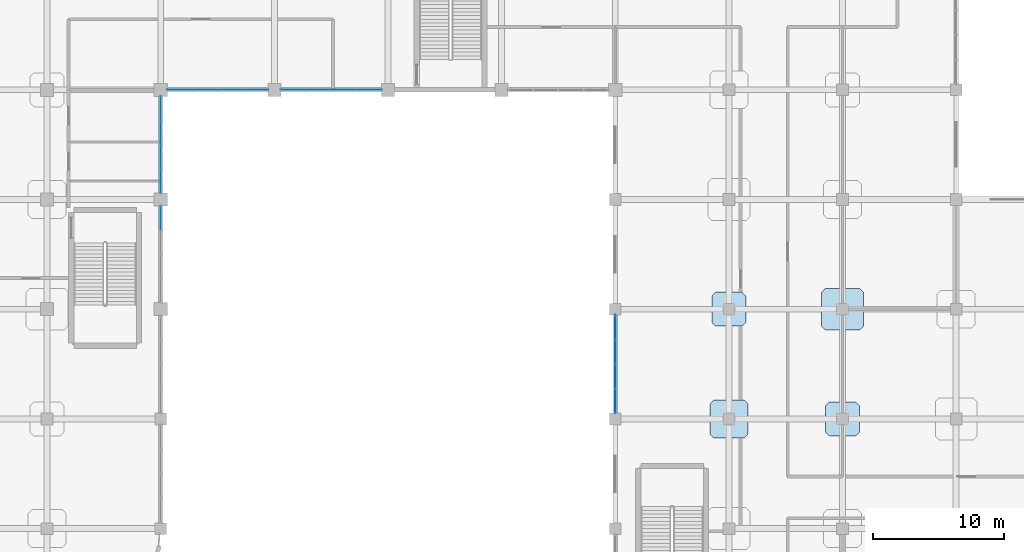
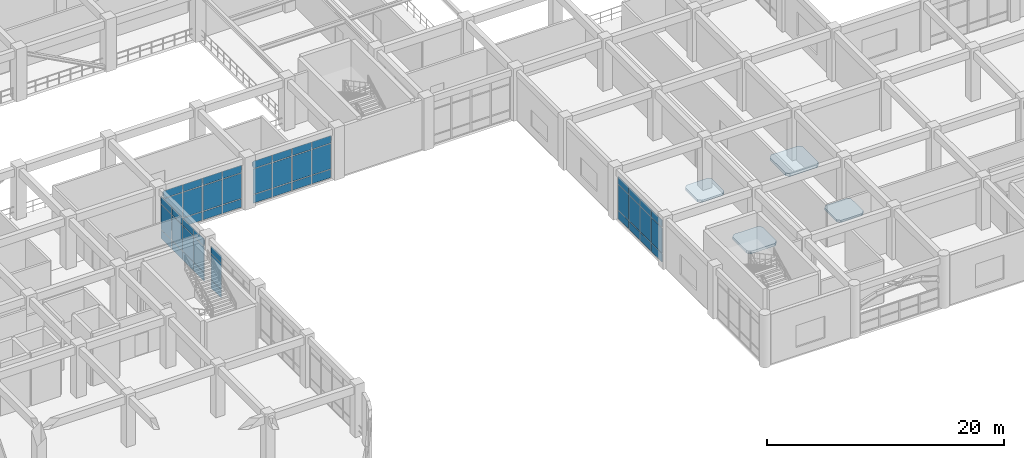
# One storey, part 83 of 114: 55 plates, 4 slabs, 5 elements without a shape of their own.
"""IFC4 building model written with IfcOpenShell, lengths in metres."""

import ifcopenshell
import ifcopenshell.guid

model = None  # the IFC model being written
_history = None  # IfcOwnerHistory: only IFC2X3 demands one
_inside = {}  # id of a spatial element -> (the spatial element, [elements in it])
_under = {}  # id of a project, library or spatial element -> (it, [spatial elements below it])
_declared = {}  # id of a project -> (the project, [libraries it declares])
_typed = {}  # id of a type object -> (the type object, [elements of that type])
_made_of = {}  # id of a material, layer set ... -> (it, [elements and type objects made of it])


def new_model(schema):
    """Start an empty IFC model of exactly this schema.

    Asked for "IFC4X3", IfcOpenShell would pick the latest addendum, in which some entities
    have other attributes; the version numbers below select the first issue.
    IFC2X3 requires an IfcOwnerHistory on every rooted entity: one is made here for all.
    """
    global model, _history
    if schema == "IFC4X3":
        model = ifcopenshell.file(schema_version=(4, 3, 0, 0))
    else:
        model = ifcopenshell.file(schema=schema)
    _inside.clear()
    _under.clear()
    _declared.clear()
    _typed.clear()
    _made_of.clear()
    _history = None
    if model.schema == "IFC2X3":
        org = make("IfcOrganization", Name="unknown")
        user = make(
            "IfcPersonAndOrganization",
            ThePerson=make("IfcPerson", FamilyName="unknown"),
            TheOrganization=org,
        )
        app = make(
            "IfcApplication",
            ApplicationDeveloper=org,
            Version="unknown",
            ApplicationFullName="unknown",
            ApplicationIdentifier="unknown",
        )
        _history = make(
            "IfcOwnerHistory",
            OwningUser=user,
            OwningApplication=app,
            ChangeAction="ADDED",
            CreationDate=0,
        )
    return model


def make(cls, **values):
    """One entity of the class cls with the attributes given. An attribute that is None is left unset."""
    return model.create_entity(
        cls, **{name: value for name, value in values.items() if value is not None}
    )


def rooted(cls, **values):
    """An entity with a GlobalId (a new one), such as an element, a storey or a relation."""
    return make(cls, GlobalId=ifcopenshell.guid.new(), OwnerHistory=_history, **values)


def si_unit(unit_type, name, prefix=None):
    """IfcSIUnit, for example si_unit("LENGTHUNIT", "METRE", prefix="MILLI")."""
    return make("IfcSIUnit", UnitType=unit_type, Prefix=prefix, Name=name)


def derived_unit(unit_type, elements):
    """IfcDerivedUnit: a product of units, each with its exponent."""
    return make(
        "IfcDerivedUnit",
        Elements=[
            make("IfcDerivedUnitElement", Unit=unit, Exponent=power)
            for unit, power in elements
        ],
        UnitType=unit_type,
    )


def assignment(units):
    """IfcUnitAssignment: the units of a project."""
    return None if units is None else make("IfcUnitAssignment", Units=units)


def point(xyz):
    """IfcCartesianPoint."""
    return None if xyz is None else make("IfcCartesianPoint", Coordinates=xyz)


def direction(xyz):
    """IfcDirection."""
    return None if xyz is None else make("IfcDirection", DirectionRatios=xyz)


def frame(location, z_axis=None, x_axis=None):
    """IfcAxis2Placement3D, a coordinate frame: its origin and axes. An axis left out is left unset."""
    return make(
        "IfcAxis2Placement3D",
        Location=point(location),
        Axis=direction(z_axis),
        RefDirection=direction(x_axis),
    )


def frame_2d(location, x_axis=None):
    """IfcAxis2Placement2D, a coordinate frame in the plane: its origin and x axis."""
    return make(
        "IfcAxis2Placement2D", Location=point(location), RefDirection=direction(x_axis)
    )


def origin():
    """The frame at (0, 0, 0) with its axes left unset."""
    return frame((0.0, 0.0, 0.0))


def origin_2d():
    """The frame at (0, 0) in the plane with its x axis left unset."""
    return frame_2d((0.0, 0.0))


def place(relative_to, where):
    """IfcLocalPlacement: puts the frame where relative to a parent placement (None: the world)."""
    return make(
        "IfcLocalPlacement", PlacementRelTo=relative_to, RelativePlacement=where
    )


def context(
    kind, dimensions, precision=None, world=None, true_north=None, identifier=None
):
    """IfcGeometricRepresentationContext, for example the 3D "Model" context."""
    return make(
        "IfcGeometricRepresentationContext",
        ContextIdentifier=identifier,
        ContextType=kind,
        CoordinateSpaceDimension=dimensions,
        Precision=precision,
        WorldCoordinateSystem=world,
        TrueNorth=true_north,
    )


def subcontext(parent, identifier, kind, view, scale=None):
    """IfcGeometricRepresentationSubContext, for example "Body" below "Model"."""
    return make(
        "IfcGeometricRepresentationSubContext",
        ContextIdentifier=identifier,
        ContextType=kind,
        ParentContext=parent,
        TargetScale=scale,
        TargetView=view,
    )


def project(units=None, contexts=None):
    """IfcProject with its units and contexts."""
    return rooted(
        "IfcProject",
        Name="project",
        RepresentationContexts=contexts,
        UnitsInContext=assignment(units),
    )


def spatial(cls, under=None, at=None, **own):
    """A site, building, storey or space (cls), placed at a placement, below another one or the project."""
    s = rooted(cls, ObjectPlacement=at, **own)
    if under is not None:
        _under.setdefault(under.id(), (under, []))[1].append(s)
    return s


def polyline(points):
    """IfcPolyline through the points."""
    return make("IfcPolyline", Points=[point(p) for p in points])


def profile(cls, at=None, kind="AREA", **sizes):
    """A parametric profile (cls). Its sizes go by their IFC names, for example OverallWidth=200.0."""
    return make(cls, ProfileType=kind, Position=at, **sizes)


def rectangle(**sizes):
    """IfcRectangleProfileDef."""
    return profile("IfcRectangleProfileDef", **sizes)


def outline(outer, holes=None, kind="AREA"):
    """IfcArbitraryClosedProfileDef: a profile drawn as a closed curve; with holes, ...WithVoids."""
    if holes is None:
        return make("IfcArbitraryClosedProfileDef", ProfileType=kind, OuterCurve=outer)
    return make(
        "IfcArbitraryProfileDefWithVoids",
        ProfileType=kind,
        OuterCurve=outer,
        InnerCurves=holes,
    )


def extrude(swept, where, along, depth):
    """IfcExtrudedAreaSolid: the profile swept, set in the frame where, extruded along a direction by depth."""
    return make(
        "IfcExtrudedAreaSolid",
        SweptArea=swept,
        Position=where,
        ExtrudedDirection=direction(along),
        Depth=depth,
    )


def shape(context_of_items, identifier, shape_type, items):
    """IfcShapeRepresentation: the items that make up one representation, for example the "Body"."""
    return make(
        "IfcShapeRepresentation",
        ContextOfItems=context_of_items,
        RepresentationIdentifier=identifier,
        RepresentationType=shape_type,
        Items=items,
    )


def material(Name=None, Category=None):
    """IfcMaterial."""
    return make("IfcMaterial", Name=Name, Category=Category)


def layer(
    of_material, thickness, ventilated=None, Name=None, Category=None, Priority=None
):
    """IfcMaterialLayer: one layer of a wall or slab, of a material (None: an air gap)."""
    return make(
        "IfcMaterialLayer",
        Material=of_material,
        LayerThickness=thickness,
        IsVentilated=ventilated,
        Name=Name,
        Category=Category,
        Priority=Priority,
    )


def layer_set(layers, Name=None):
    """IfcMaterialLayerSet."""
    return make("IfcMaterialLayerSet", MaterialLayers=layers, LayerSetName=Name)


def made_of(thing, what):
    """Note that an element or type object is made of a material, layer set ...; save() writes the relation."""
    if what is not None:
        _made_of.setdefault(what.id(), (what, []))[1].append(thing)
    return thing


def type_object(cls, material=None, **own):
    """A type object (cls), such as IfcWallType, which elements share."""
    return made_of(rooted(cls, **own), material)


def element(
    cls,
    number,
    at=None,
    inside=None,
    cuts=None,
    type_object=None,
    material=None,
    context=None,
    identifier="Body",
    shape_type=None,
    held_by="IfcProductDefinitionShape",
    body=None,
    shapes=None,
    **own,
):
    """One element of the class cls, such as IfcWall. Its Tag is "e" and its number.

    at: its placement. inside: the storey or other place that contains it. cuts: it is an
    opening in that element (IfcRelVoidsElement). A single representation is given by context,
    identifier, shape_type and body (its items); several are given by shapes. held_by: the class
    of the entity that holds the representations. save() writes the other relations.
    """
    e = rooted(cls, Tag="e%d" % number, ObjectPlacement=at, **own)
    if body is not None:
        shapes = [shape(context, identifier, shape_type, body)]
    if shapes is not None:
        e.Representation = make(held_by, Representations=shapes)
    if inside is not None:
        _inside.setdefault(inside.id(), (inside, []))[1].append(e)
    if cuts is not None:
        rooted(
            "IfcRelVoidsElement", RelatingBuildingElement=cuts, RelatedOpeningElement=e
        )
    if type_object is not None:
        _typed.setdefault(type_object.id(), (type_object, []))[1].append(e)
    return made_of(e, material)


def aggregate(whole, parts):
    """IfcRelAggregates: a whole, such as a stair, and the parts it consists of."""
    return rooted("IfcRelAggregates", RelatingObject=whole, RelatedObjects=parts)


def save(model, path):
    """Write the relations noted so far, then the file.

    IfcRelAggregates (storeys below a building ...), IfcRelContainedInSpatialStructure (elements
    in a storey), IfcRelDefinesByType, IfcRelAssociatesMaterial and IfcRelDeclares: one each for
    every whole, place, type object, material and project.
    """
    for whole, parts in _under.values():
        aggregate(whole, parts)
    for where, things in _inside.values():
        rooted(
            "IfcRelContainedInSpatialStructure",
            RelatedElements=things,
            RelatingStructure=where,
        )
    for kind, things in _typed.values():
        rooted("IfcRelDefinesByType", RelatedObjects=things, RelatingType=kind)
    for what, things in _made_of.values():
        rooted("IfcRelAssociatesMaterial", RelatedObjects=things, RelatingMaterial=what)
    for by, libraries in _declared.values():
        rooted("IfcRelDeclares", RelatingContext=by, RelatedDefinitions=libraries)
    model.write(path)


model = new_model("IFC4")

# Units and contexts
model_context = context("Model", 3, precision=1e-05, world=origin(), true_north=direction((0.0, 1.0)))
body_context = subcontext(model_context, "Body", "Model", "MODEL_VIEW")
ifc_project = project(units=[si_unit("LENGTHUNIT", "METRE"), si_unit("AREAUNIT", "SQUARE_METRE"), si_unit("VOLUMEUNIT", "CUBIC_METRE"), si_unit("PLANEANGLEUNIT", "RADIAN"), si_unit("MASSUNIT", "GRAM", prefix="KILO"), derived_unit("THERMALTRANSMITTANCEUNIT", [(si_unit("MASSUNIT", "GRAM", prefix="KILO"), 1), (si_unit("TIMEUNIT", "SECOND"), -3), (si_unit("THERMODYNAMICTEMPERATUREUNIT", "KELVIN"), -1)])], contexts=[model_context])

# Site, building, storey
site_placement = place(None, origin())
site = spatial("IfcSite", under=ifc_project, at=site_placement, CompositionType="ELEMENT")
building_placement = place(site_placement, origin())
building = spatial("IfcBuilding", under=site, at=building_placement, Name="Qinzheling Arcade Emporium", CompositionType="ELEMENT")
storey_placement = place(building_placement, frame((0.0, 0.0, 6.0)))
storey = spatial("IfcBuildingStorey", under=building, at=storey_placement, Name="L02", CompositionType="ELEMENT", Elevation=6.0)

# Slabs
ifc_material_1 = material(Name="Concrete C40", Category="concrete")
ifc_layer_1 = layer(ifc_material_1, 0.235107421875, Name="Concrete C40", Category="concrete")
ifc_layer_set_1 = layer_set([ifc_layer_1], Name="Concrete C40")
slab_type_1 = type_object("IfcSlabType", Name="Column Head Drop Panel 2600x2600x235 C40", PredefinedType="USERDEFINED", material=ifc_layer_set_1)
slab_1_placement = place(storey_placement, frame((0.0, 0.0, -0.514892578125)))
element("IfcSlab", 1, at=slab_1_placement, inside=storey, type_object=slab_type_1, Name="Column Drop Panel DP-L02-14-D", ObjectType="DROP_PANEL", PredefinedType="USERDEFINED", context=body_context, shape_type="SweptSolid", body=[
    extrude(outline(polyline([(112.080078125, 23.89990234375), (114.1201171875, 23.89990234375), (114.39990234375, 24.179931640625), (114.39990234375, 26.219970703125), (114.1201171875, 26.5), (112.080078125, 26.5), (111.800048828125, 26.219970703125), (111.800048828125, 24.179931640625), (112.080078125, 23.89990234375)])), origin(), (0.0, 0.0, 1.0), 0.23486328125),
])
slab_2_placement = place(storey_placement, frame((0.0, 0.0, -0.530029296875)))
element("IfcSlab", 2, at=slab_2_placement, inside=storey, type_object=slab_type_1, Name="Column Drop Panel DP-L02-15-C", ObjectType="DROP_PANEL", PredefinedType="USERDEFINED", context=body_context, shape_type="SweptSolid", body=[
    extrude(outline(polyline([(120.780029296875, 15.5), (122.820068359375, 15.5), (123.10009765625, 15.780029296875), (123.10009765625, 17.820068359375), (122.820068359375, 18.10009765625), (120.780029296875, 18.10009765625), (120.5, 17.820068359375), (120.5, 15.780029296875), (120.780029296875, 15.5)])), origin(), (0.0, 0.0, 1.0), 0.235107421875),
])
ifc_layer_2 = layer(ifc_material_1, 0.27001953125, Name="Concrete C40", Category="concrete")
ifc_layer_set_2 = layer_set([ifc_layer_2], Name="Concrete C40")
slab_type_2 = type_object("IfcSlabType", Name="Column Head Drop Panel 2900x2900x270 C40", PredefinedType="USERDEFINED", material=ifc_layer_set_2)
slab_3_placement = place(storey_placement, frame((0.0, 0.0, -0.550048828125)))
element("IfcSlab", 3, at=slab_3_placement, inside=storey, type_object=slab_type_2, Name="Column Drop Panel DP-L02-14-C", ObjectType="DROP_PANEL", PredefinedType="USERDEFINED", context=body_context, shape_type="SweptSolid", body=[
    extrude(outline(polyline([(111.929931640625, 15.35009765625), (114.27001953125, 15.35009765625), (114.550048828125, 15.6298828125), (114.550048828125, 17.969970703125), (114.27001953125, 18.25), (111.929931640625, 18.25), (111.64990234375, 17.969970703125), (111.64990234375, 15.6298828125), (111.929931640625, 15.35009765625)])), origin(), (0.0, 0.0, 1.0), 0.27001953125),
])
ifc_layer_3 = layer(ifc_material_1, 0.300048828125, Name="Concrete C40", Category="concrete")
ifc_layer_set_3 = layer_set([ifc_layer_3], Name="Concrete C40")
slab_type_3 = type_object("IfcSlabType", Name="Column Head Drop Panel 3200x3200x300 C40", PredefinedType="USERDEFINED", material=ifc_layer_set_3)
slab_4_placement = place(storey_placement, frame((0.0, 0.0, -0.594970703125)))
element("IfcSlab", 4, at=slab_4_placement, inside=storey, type_object=slab_type_3, Name="Column Drop Panel DP-L02-15-D", ObjectType="DROP_PANEL", PredefinedType="USERDEFINED", context=body_context, shape_type="SweptSolid", body=[
    extrude(outline(polyline([(120.47998046875, 23.60009765625), (123.1201171875, 23.60009765625), (123.39990234375, 23.8798828125), (123.39990234375, 26.52001953125), (123.1201171875, 26.800048828125), (120.47998046875, 26.800048828125), (120.199951171875, 26.52001953125), (120.199951171875, 23.8798828125), (120.47998046875, 23.60009765625)])), origin(), (0.0, 0.0, 1.0), 0.300048828125),
])

# Curtain wall, plates
ifc_material_2 = material(Name="Anodised aluminium and solar-control double glazing", Category="aluminium")
ifc_layer_4 = layer(ifc_material_2, 0.159912109375, Name="Anodised aluminium and solar-control double glazing", Category="aluminium")
ifc_layer_set_4 = layer_set([ifc_layer_4], Name="Anodised aluminium and solar-control double glazing")
curtain_wall_type_1 = type_object("IfcCurtainWallType", Name="Atrium Clerestory Curtain Wall", PredefinedType="NOTDEFINED", material=ifc_layer_set_4)
curtain_wall_1_placement = place(storey_placement, origin())
curtain_wall_1 = element("IfcCurtainWall", 5, at=curtain_wall_1_placement, inside=storey, type_object=curtain_wall_type_1, Name="Curtain Wall CW-L02-063", PredefinedType="NOTDEFINED")
ifc_material_3 = material(Name="Laminated solar-control double glazing", Category="glass")
ifc_layer_5 = layer(ifc_material_3, 0.02099609375, Name="Laminated solar-control double glazing", Category="glass")
ifc_layer_set_5 = layer_set([ifc_layer_5], Name="Laminated solar-control double glazing")
plate_type_1 = type_object("IfcPlateType", Name="Low-E Double Glazed Curtain Panel 21mm", PredefinedType="CURTAIN_PANEL", material=ifc_layer_set_5)
plate_1_placement = place(storey_placement, frame((85.52099609375, 42.0, 0.06005859375), z_axis=(0.0, 0.0, 1.0), x_axis=(-1.0, 0.0, 0.0)))
plate_1 = element("IfcPlate", 6, at=plate_1_placement, type_object=plate_type_1, Name="CW03 panel 1.1", PredefinedType="CURTAIN_PANEL", context=body_context, shape_type="SweptSolid", body=[
    extrude(rectangle(XDim=1.833984375, YDim=0.02099609375, at=origin_2d()), origin(), (0.0, 0.0, 1.0), 0.860107421875),
])
plate_2_placement = place(storey_placement, frame((85.52099609375, 42.0, 0.97998046875), z_axis=(0.0, 0.0, 1.0), x_axis=(-1.0, 0.0, 0.0)))
plate_2 = element("IfcPlate", 7, at=plate_2_placement, type_object=plate_type_1, Name="CW03 panel 1.2", PredefinedType="CURTAIN_PANEL", context=body_context, shape_type="SweptSolid", body=[
    extrude(rectangle(XDim=1.833984375, YDim=0.02099609375, at=origin_2d()), origin(), (0.0, 0.0, 1.0), 2.594970703125),
])
plate_3_placement = place(storey_placement, frame((85.52099609375, 42.0, 3.634765625), z_axis=(0.0, 0.0, 1.0), x_axis=(-1.0, 0.0, 0.0)))
plate_3 = element("IfcPlate", 8, at=plate_3_placement, type_object=plate_type_1, Name="CW03 panel 1.3", PredefinedType="CURTAIN_PANEL", context=body_context, shape_type="SweptSolid", body=[
    extrude(rectangle(XDim=1.833984375, YDim=0.02099609375, at=origin_2d()), origin(), (0.0, 0.0, 1.0), 0.760009765625),
])
plate_4_placement = place(storey_placement, frame((83.612060546875, 42.0, 0.06005859375), z_axis=(0.0, 0.0, 1.0), x_axis=(-1.0, 0.0, 0.0)))
plate_4 = element("IfcPlate", 9, at=plate_4_placement, type_object=plate_type_1, Name="CW03 panel 2.1", PredefinedType="CURTAIN_PANEL", context=body_context, shape_type="SweptSolid", body=[
    extrude(rectangle(XDim=1.864013671875, YDim=0.02099609375, at=origin_2d()), origin(), (0.0, 0.0, 1.0), 0.860107421875),
])
plate_5_placement = place(storey_placement, frame((83.612060546875, 42.0, 0.97998046875), z_axis=(0.0, 0.0, 1.0), x_axis=(-1.0, 0.0, 0.0)))
plate_5 = element("IfcPlate", 10, at=plate_5_placement, type_object=plate_type_1, Name="CW03 panel 2.2", PredefinedType="CURTAIN_PANEL", context=body_context, shape_type="SweptSolid", body=[
    extrude(rectangle(XDim=1.864013671875, YDim=0.02099609375, at=origin_2d()), origin(), (0.0, 0.0, 1.0), 2.594970703125),
])
plate_6_placement = place(storey_placement, frame((83.612060546875, 42.0, 3.634765625), z_axis=(0.0, 0.0, 1.0), x_axis=(-1.0, 0.0, 0.0)))
plate_6 = element("IfcPlate", 11, at=plate_6_placement, type_object=plate_type_1, Name="CW03 panel 2.3", PredefinedType="CURTAIN_PANEL", context=body_context, shape_type="SweptSolid", body=[
    extrude(rectangle(XDim=1.864013671875, YDim=0.02099609375, at=origin_2d()), origin(), (0.0, 0.0, 1.0), 0.760009765625),
])
plate_7_placement = place(storey_placement, frame((81.68798828125, 42.0, 0.06005859375), z_axis=(0.0, 0.0, 1.0), x_axis=(-1.0, 0.0, 0.0)))
plate_7 = element("IfcPlate", 12, at=plate_7_placement, type_object=plate_type_1, Name="CW03 panel 3.1", PredefinedType="CURTAIN_PANEL", context=body_context, shape_type="SweptSolid", body=[
    extrude(rectangle(XDim=1.864013671875, YDim=0.02099609375, at=origin_2d()), origin(), (0.0, 0.0, 1.0), 0.860107421875),
])
plate_8_placement = place(storey_placement, frame((81.68798828125, 42.0, 0.97998046875), z_axis=(0.0, 0.0, 1.0), x_axis=(-1.0, 0.0, 0.0)))
plate_8 = element("IfcPlate", 13, at=plate_8_placement, type_object=plate_type_1, Name="CW03 panel 3.2", PredefinedType="CURTAIN_PANEL", context=body_context, shape_type="SweptSolid", body=[
    extrude(rectangle(XDim=1.864013671875, YDim=0.02099609375, at=origin_2d()), origin(), (0.0, 0.0, 1.0), 2.594970703125),
])
plate_9_placement = place(storey_placement, frame((81.68798828125, 42.0, 3.634765625), z_axis=(0.0, 0.0, 1.0), x_axis=(-1.0, 0.0, 0.0)))
plate_9 = element("IfcPlate", 14, at=plate_9_placement, type_object=plate_type_1, Name="CW03 panel 3.3", PredefinedType="CURTAIN_PANEL", context=body_context, shape_type="SweptSolid", body=[
    extrude(rectangle(XDim=1.864013671875, YDim=0.02099609375, at=origin_2d()), origin(), (0.0, 0.0, 1.0), 0.760009765625),
])
plate_10_placement = place(storey_placement, frame((79.779052734375, 42.0, 0.06005859375), z_axis=(0.0, 0.0, 1.0), x_axis=(-1.0, 0.0, 0.0)))
plate_10 = element("IfcPlate", 15, at=plate_10_placement, type_object=plate_type_1, Name="CW03 panel 4.1", PredefinedType="CURTAIN_PANEL", context=body_context, shape_type="SweptSolid", body=[
    extrude(rectangle(XDim=1.833984375, YDim=0.02099609375, at=origin_2d()), origin(), (0.0, 0.0, 1.0), 0.860107421875),
])
plate_11_placement = place(storey_placement, frame((79.779052734375, 42.0, 0.97998046875), z_axis=(0.0, 0.0, 1.0), x_axis=(-1.0, 0.0, 0.0)))
plate_11 = element("IfcPlate", 16, at=plate_11_placement, type_object=plate_type_1, Name="CW03 panel 4.2", PredefinedType="CURTAIN_PANEL", context=body_context, shape_type="SweptSolid", body=[
    extrude(rectangle(XDim=1.833984375, YDim=0.02099609375, at=origin_2d()), origin(), (0.0, 0.0, 1.0), 2.594970703125),
])
plate_12_placement = place(storey_placement, frame((79.779052734375, 42.0, 3.634765625), z_axis=(0.0, 0.0, 1.0), x_axis=(-1.0, 0.0, 0.0)))
plate_12 = element("IfcPlate", 17, at=plate_12_placement, type_object=plate_type_1, Name="CW03 panel 4.3", PredefinedType="CURTAIN_PANEL", context=body_context, shape_type="SweptSolid", body=[
    extrude(rectangle(XDim=1.833984375, YDim=0.02099609375, at=origin_2d()), origin(), (0.0, 0.0, 1.0), 0.760009765625),
])
aggregate(curtain_wall_1, [plate_1, plate_2, plate_3, plate_4, plate_5, plate_6, plate_7, plate_8, plate_9, plate_10, plate_11, plate_12])

curtain_wall_2_placement = place(storey_placement, origin())
curtain_wall_2 = element("IfcCurtainWall", 18, at=curtain_wall_2_placement, inside=storey, type_object=curtain_wall_type_1, Name="Curtain Wall CW-L02-064", PredefinedType="NOTDEFINED")
ifc_layer_6 = layer(ifc_material_3, 0.02197265625, Name="Laminated solar-control double glazing", Category="glass")
ifc_layer_set_6 = layer_set([ifc_layer_6], Name="Laminated solar-control double glazing")
plate_type_2 = type_object("IfcPlateType", Name="Low-E Double Glazed Curtain Panel 22mm", PredefinedType="CURTAIN_PANEL", material=ifc_layer_set_6)
plate_13_placement = place(storey_placement, frame((76.821044921875, 42.0, 0.06005859375), z_axis=(0.0, 0.0, 1.0), x_axis=(-1.0, 0.0, 0.0)))
plate_13 = element("IfcPlate", 19, at=plate_13_placement, type_object=plate_type_2, Name="CW03 panel 1.1", PredefinedType="CURTAIN_PANEL", context=body_context, shape_type="SweptSolid", body=[
    extrude(rectangle(XDim=1.833984375, YDim=0.02197265625, at=origin_2d()), origin(), (0.0, 0.0, 1.0), 0.860107421875),
])
plate_14_placement = place(storey_placement, frame((76.821044921875, 42.0, 0.97998046875), z_axis=(0.0, 0.0, 1.0), x_axis=(-1.0, 0.0, 0.0)))
plate_14 = element("IfcPlate", 20, at=plate_14_placement, type_object=plate_type_2, Name="CW03 panel 1.2", PredefinedType="CURTAIN_PANEL", context=body_context, shape_type="SweptSolid", body=[
    extrude(rectangle(XDim=1.833984375, YDim=0.02197265625, at=origin_2d()), origin(), (0.0, 0.0, 1.0), 2.594970703125),
])
plate_15_placement = place(storey_placement, frame((76.821044921875, 42.0, 3.634765625), z_axis=(0.0, 0.0, 1.0), x_axis=(-1.0, 0.0, 0.0)))
plate_15 = element("IfcPlate", 21, at=plate_15_placement, type_object=plate_type_2, Name="CW03 panel 1.3", PredefinedType="CURTAIN_PANEL", context=body_context, shape_type="SweptSolid", body=[
    extrude(rectangle(XDim=1.833984375, YDim=0.02197265625, at=origin_2d()), origin(), (0.0, 0.0, 1.0), 0.760009765625),
])
plate_16_placement = place(storey_placement, frame((74.912109375, 42.0, 0.06005859375), z_axis=(0.0, 0.0, 1.0), x_axis=(-1.0, 0.0, 0.0)))
plate_16 = element("IfcPlate", 22, at=plate_16_placement, type_object=plate_type_2, Name="CW03 panel 2.1", PredefinedType="CURTAIN_PANEL", context=body_context, shape_type="SweptSolid", body=[
    extrude(rectangle(XDim=1.864013671875, YDim=0.02197265625, at=origin_2d()), origin(), (0.0, 0.0, 1.0), 0.860107421875),
])
plate_17_placement = place(storey_placement, frame((74.912109375, 42.0, 0.97998046875), z_axis=(0.0, 0.0, 1.0), x_axis=(-1.0, 0.0, 0.0)))
plate_17 = element("IfcPlate", 23, at=plate_17_placement, type_object=plate_type_2, Name="CW03 panel 2.2", PredefinedType="CURTAIN_PANEL", context=body_context, shape_type="SweptSolid", body=[
    extrude(rectangle(XDim=1.864013671875, YDim=0.02197265625, at=origin_2d()), origin(), (0.0, 0.0, 1.0), 2.594970703125),
])
plate_18_placement = place(storey_placement, frame((74.912109375, 42.0, 3.634765625), z_axis=(0.0, 0.0, 1.0), x_axis=(-1.0, 0.0, 0.0)))
plate_18 = element("IfcPlate", 24, at=plate_18_placement, type_object=plate_type_2, Name="CW03 panel 2.3", PredefinedType="CURTAIN_PANEL", context=body_context, shape_type="SweptSolid", body=[
    extrude(rectangle(XDim=1.864013671875, YDim=0.02197265625, at=origin_2d()), origin(), (0.0, 0.0, 1.0), 0.760009765625),
])
plate_19_placement = place(storey_placement, frame((72.988037109375, 42.0, 0.06005859375), z_axis=(0.0, 0.0, 1.0), x_axis=(-1.0, 0.0, 0.0)))
plate_19 = element("IfcPlate", 25, at=plate_19_placement, type_object=plate_type_2, Name="CW03 panel 3.1", PredefinedType="CURTAIN_PANEL", context=body_context, shape_type="SweptSolid", body=[
    extrude(rectangle(XDim=1.864013671875, YDim=0.02197265625, at=origin_2d()), origin(), (0.0, 0.0, 1.0), 0.860107421875),
])
plate_20_placement = place(storey_placement, frame((72.988037109375, 42.0, 0.97998046875), z_axis=(0.0, 0.0, 1.0), x_axis=(-1.0, 0.0, 0.0)))
plate_20 = element("IfcPlate", 26, at=plate_20_placement, type_object=plate_type_2, Name="CW03 panel 3.2", PredefinedType="CURTAIN_PANEL", context=body_context, shape_type="SweptSolid", body=[
    extrude(rectangle(XDim=1.864013671875, YDim=0.02197265625, at=origin_2d()), origin(), (0.0, 0.0, 1.0), 2.594970703125),
])
plate_21_placement = place(storey_placement, frame((72.988037109375, 42.0, 3.634765625), z_axis=(0.0, 0.0, 1.0), x_axis=(-1.0, 0.0, 0.0)))
plate_21 = element("IfcPlate", 27, at=plate_21_placement, type_object=plate_type_2, Name="CW03 panel 3.3", PredefinedType="CURTAIN_PANEL", context=body_context, shape_type="SweptSolid", body=[
    extrude(rectangle(XDim=1.864013671875, YDim=0.02197265625, at=origin_2d()), origin(), (0.0, 0.0, 1.0), 0.760009765625),
])
plate_22_placement = place(storey_placement, frame((71.0791015625, 42.0, 0.06005859375), z_axis=(0.0, 0.0, 1.0), x_axis=(-1.0, 0.0, 0.0)))
plate_22 = element("IfcPlate", 28, at=plate_22_placement, type_object=plate_type_2, Name="CW03 panel 4.1", PredefinedType="CURTAIN_PANEL", context=body_context, shape_type="SweptSolid", body=[
    extrude(rectangle(XDim=1.833984375, YDim=0.02197265625, at=origin_2d()), origin(), (0.0, 0.0, 1.0), 0.860107421875),
])
plate_23_placement = place(storey_placement, frame((71.0791015625, 42.0, 0.97998046875), z_axis=(0.0, 0.0, 1.0), x_axis=(-1.0, 0.0, 0.0)))
plate_23 = element("IfcPlate", 29, at=plate_23_placement, type_object=plate_type_2, Name="CW03 panel 4.2", PredefinedType="CURTAIN_PANEL", context=body_context, shape_type="SweptSolid", body=[
    extrude(rectangle(XDim=1.833984375, YDim=0.02197265625, at=origin_2d()), origin(), (0.0, 0.0, 1.0), 2.594970703125),
])
plate_24_placement = place(storey_placement, frame((71.0791015625, 42.0, 3.634765625), z_axis=(0.0, 0.0, 1.0), x_axis=(-1.0, 0.0, 0.0)))
plate_24 = element("IfcPlate", 30, at=plate_24_placement, type_object=plate_type_2, Name="CW03 panel 4.3", PredefinedType="CURTAIN_PANEL", context=body_context, shape_type="SweptSolid", body=[
    extrude(rectangle(XDim=1.833984375, YDim=0.02197265625, at=origin_2d()), origin(), (0.0, 0.0, 1.0), 0.760009765625),
])
aggregate(curtain_wall_2, [plate_13, plate_14, plate_15, plate_16, plate_17, plate_18, plate_19, plate_20, plate_21, plate_22, plate_23, plate_24])

ifc_layer_7 = layer(ifc_material_2, 0.159912109375, Name="Anodised aluminium and solar-control double glazing", Category="aluminium")
ifc_layer_set_7 = layer_set([ifc_layer_7], Name="Anodised aluminium and solar-control double glazing")
curtain_wall_type_2 = type_object("IfcCurtainWallType", Name="Arcade Portal Glazed Curtain Wall", PredefinedType="NOTDEFINED", material=ifc_layer_set_7)
curtain_wall_3_placement = place(storey_placement, origin())
curtain_wall_3 = element("IfcCurtainWall", 31, at=curtain_wall_3_placement, inside=storey, type_object=curtain_wall_type_2, Name="Curtain Wall CW-L02-065", PredefinedType="NOTDEFINED")
ifc_layer_8 = layer(ifc_material_3, 0.02392578125, Name="Laminated solar-control double glazing", Category="glass")
ifc_layer_set_8 = layer_set([ifc_layer_8], Name="Laminated solar-control double glazing")
plate_type_3 = type_object("IfcPlateType", Name="Low-E Double Glazed Curtain Panel 24mm", PredefinedType="CURTAIN_PANEL", material=ifc_layer_set_8)
plate_25_placement = place(storey_placement, frame((69.60009765625, 40.55859375, 0.06005859375), z_axis=(0.0, 0.0, 1.0), x_axis=(0.0, -1.0, 0.0)))
plate_25 = element("IfcPlate", 32, at=plate_25_placement, type_object=plate_type_3, Name="CW05 panel 1.1", PredefinedType="CURTAIN_PANEL", context=body_context, shape_type="SweptSolid", body=[
    extrude(rectangle(XDim=1.759033203125, YDim=0.02392578125, at=origin_2d()), origin(), (0.0, 0.0, 1.0), 0.860107421875),
])
plate_26_placement = place(storey_placement, frame((69.60009765625, 40.55859375, 0.97998046875), z_axis=(0.0, 0.0, 1.0), x_axis=(0.0, -1.0, 0.0)))
plate_26 = element("IfcPlate", 33, at=plate_26_placement, type_object=plate_type_3, Name="CW05 panel 1.2", PredefinedType="CURTAIN_PANEL", context=body_context, shape_type="SweptSolid", body=[
    extrude(rectangle(XDim=1.759033203125, YDim=0.02392578125, at=origin_2d()), origin(), (0.0, 0.0, 1.0), 2.594970703125),
])
plate_27_placement = place(storey_placement, frame((69.60009765625, 40.55859375, 3.634765625), z_axis=(0.0, 0.0, 1.0), x_axis=(0.0, -1.0, 0.0)))
plate_27 = element("IfcPlate", 34, at=plate_27_placement, type_object=plate_type_3, Name="CW05 panel 1.3", PredefinedType="CURTAIN_PANEL", context=body_context, shape_type="SweptSolid", body=[
    extrude(rectangle(XDim=1.759033203125, YDim=0.02392578125, at=origin_2d()), origin(), (0.0, 0.0, 1.0), 0.760009765625),
])
plate_28_placement = place(storey_placement, frame((69.60009765625, 38.724609375, 0.06005859375), z_axis=(0.0, 0.0, 1.0), x_axis=(0.0, -1.0, 0.0)))
plate_28 = element("IfcPlate", 35, at=plate_28_placement, type_object=plate_type_3, Name="CW05 panel 2.1", PredefinedType="CURTAIN_PANEL", context=body_context, shape_type="SweptSolid", body=[
    extrude(rectangle(XDim=1.7890625, YDim=0.02392578125, at=origin_2d()), origin(), (0.0, 0.0, 1.0), 0.860107421875),
])
plate_29_placement = place(storey_placement, frame((69.60009765625, 38.724609375, 0.97998046875), z_axis=(0.0, 0.0, 1.0), x_axis=(0.0, -1.0, 0.0)))
plate_29 = element("IfcPlate", 36, at=plate_29_placement, type_object=plate_type_3, Name="CW05 panel 2.2", PredefinedType="CURTAIN_PANEL", context=body_context, shape_type="SweptSolid", body=[
    extrude(rectangle(XDim=1.7890625, YDim=0.02392578125, at=origin_2d()), origin(), (0.0, 0.0, 1.0), 2.594970703125),
])
plate_30_placement = place(storey_placement, frame((69.60009765625, 38.724609375, 3.634765625), z_axis=(0.0, 0.0, 1.0), x_axis=(0.0, -1.0, 0.0)))
plate_30 = element("IfcPlate", 37, at=plate_30_placement, type_object=plate_type_3, Name="CW05 panel 2.3", PredefinedType="CURTAIN_PANEL", context=body_context, shape_type="SweptSolid", body=[
    extrude(rectangle(XDim=1.7890625, YDim=0.02392578125, at=origin_2d()), origin(), (0.0, 0.0, 1.0), 0.760009765625),
])
plate_31_placement = place(storey_placement, frame((69.60009765625, 36.87548828125, 0.06005859375), z_axis=(0.0, 0.0, 1.0), x_axis=(0.0, -1.0, 0.0)))
plate_31 = element("IfcPlate", 38, at=plate_31_placement, type_object=plate_type_3, Name="CW05 panel 3.1", PredefinedType="CURTAIN_PANEL", context=body_context, shape_type="SweptSolid", body=[
    extrude(rectangle(XDim=1.7890625, YDim=0.02392578125, at=origin_2d()), origin(), (0.0, 0.0, 1.0), 0.860107421875),
])
plate_32_placement = place(storey_placement, frame((69.60009765625, 36.87548828125, 0.97998046875), z_axis=(0.0, 0.0, 1.0), x_axis=(0.0, -1.0, 0.0)))
plate_32 = element("IfcPlate", 39, at=plate_32_placement, type_object=plate_type_3, Name="CW05 panel 3.2", PredefinedType="CURTAIN_PANEL", context=body_context, shape_type="SweptSolid", body=[
    extrude(rectangle(XDim=1.7890625, YDim=0.02392578125, at=origin_2d()), origin(), (0.0, 0.0, 1.0), 2.594970703125),
])
plate_33_placement = place(storey_placement, frame((69.60009765625, 36.87548828125, 3.634765625), z_axis=(0.0, 0.0, 1.0), x_axis=(0.0, -1.0, 0.0)))
plate_33 = element("IfcPlate", 40, at=plate_33_placement, type_object=plate_type_3, Name="CW05 panel 3.3", PredefinedType="CURTAIN_PANEL", context=body_context, shape_type="SweptSolid", body=[
    extrude(rectangle(XDim=1.7890625, YDim=0.02392578125, at=origin_2d()), origin(), (0.0, 0.0, 1.0), 0.760009765625),
])
plate_34_placement = place(storey_placement, frame((69.60009765625, 35.04150390625, 0.06005859375), z_axis=(0.0, 0.0, 1.0), x_axis=(0.0, -1.0, 0.0)))
plate_34 = element("IfcPlate", 41, at=plate_34_placement, type_object=plate_type_3, Name="CW05 panel 4.1", PredefinedType="CURTAIN_PANEL", context=body_context, shape_type="SweptSolid", body=[
    extrude(rectangle(XDim=1.759033203125, YDim=0.02392578125, at=origin_2d()), origin(), (0.0, 0.0, 1.0), 0.860107421875),
])
plate_35_placement = place(storey_placement, frame((69.60009765625, 35.04150390625, 0.97998046875), z_axis=(0.0, 0.0, 1.0), x_axis=(0.0, -1.0, 0.0)))
plate_35 = element("IfcPlate", 42, at=plate_35_placement, type_object=plate_type_3, Name="CW05 panel 4.2", PredefinedType="CURTAIN_PANEL", context=body_context, shape_type="SweptSolid", body=[
    extrude(rectangle(XDim=1.759033203125, YDim=0.02392578125, at=origin_2d()), origin(), (0.0, 0.0, 1.0), 2.594970703125),
])
plate_36_placement = place(storey_placement, frame((69.60009765625, 35.04150390625, 3.634765625), z_axis=(0.0, 0.0, 1.0), x_axis=(0.0, -1.0, 0.0)))
plate_36 = element("IfcPlate", 43, at=plate_36_placement, type_object=plate_type_3, Name="CW05 panel 4.3", PredefinedType="CURTAIN_PANEL", context=body_context, shape_type="SweptSolid", body=[
    extrude(rectangle(XDim=1.759033203125, YDim=0.02392578125, at=origin_2d()), origin(), (0.0, 0.0, 1.0), 0.760009765625),
])
aggregate(curtain_wall_3, [plate_25, plate_26, plate_27, plate_28, plate_29, plate_30, plate_31, plate_32, plate_33, plate_34, plate_35, plate_36])

curtain_wall_4_placement = place(storey_placement, origin())
curtain_wall_4 = element("IfcCurtainWall", 44, at=curtain_wall_4_placement, inside=storey, type_object=curtain_wall_type_2, Name="Curtain Wall CW-L02-066", PredefinedType="NOTDEFINED")
ifc_layer_9 = layer(ifc_material_3, 0.02490234375, Name="Laminated solar-control double glazing", Category="glass")
ifc_layer_set_9 = layer_set([ifc_layer_9], Name="Laminated solar-control double glazing")
plate_type_4 = type_object("IfcPlateType", Name="Low-E Double Glazed Curtain Panel 25mm", PredefinedType="CURTAIN_PANEL", material=ifc_layer_set_9)
plate_37_placement = place(storey_placement, frame((69.60009765625, 32.158447265625, 0.06005859375), z_axis=(0.0, 0.0, 1.0), x_axis=(0.0, -1.0, 0.0)))
plate_37 = element("IfcPlate", 45, at=plate_37_placement, type_object=plate_type_4, Name="CW05 panel 1.1", PredefinedType="CURTAIN_PANEL", context=body_context, shape_type="SweptSolid", body=[
    extrude(rectangle(XDim=1.759033203125, YDim=0.02490234375, at=origin_2d()), origin(), (0.0, 0.0, 1.0), 0.860107421875),
])
plate_38_placement = place(storey_placement, frame((69.60009765625, 32.158447265625, 0.97998046875), z_axis=(0.0, 0.0, 1.0), x_axis=(0.0, -1.0, 0.0)))
plate_38 = element("IfcPlate", 46, at=plate_38_placement, type_object=plate_type_4, Name="CW05 panel 1.2", PredefinedType="CURTAIN_PANEL", context=body_context, shape_type="SweptSolid", body=[
    extrude(rectangle(XDim=1.759033203125, YDim=0.02490234375, at=origin_2d()), origin(), (0.0, 0.0, 1.0), 2.594970703125),
])
plate_39_placement = place(storey_placement, frame((69.60009765625, 32.158447265625, 3.634765625), z_axis=(0.0, 0.0, 1.0), x_axis=(0.0, -1.0, 0.0)))
plate_39 = element("IfcPlate", 47, at=plate_39_placement, type_object=plate_type_4, Name="CW05 panel 1.3", PredefinedType="CURTAIN_PANEL", context=body_context, shape_type="SweptSolid", body=[
    extrude(rectangle(XDim=1.759033203125, YDim=0.02490234375, at=origin_2d()), origin(), (0.0, 0.0, 1.0), 0.760009765625),
])
aggregate(curtain_wall_4, [plate_37, plate_38, plate_39])

curtain_wall_5_placement = place(storey_placement, origin())
curtain_wall_5 = element("IfcCurtainWall", 48, at=curtain_wall_5_placement, inside=storey, type_object=curtain_wall_type_2, Name="Curtain Wall CW-L02-061", PredefinedType="NOTDEFINED")
ifc_layer_10 = layer(ifc_material_3, 0.0400390625, Name="Laminated solar-control double glazing", Category="glass")
ifc_layer_set_10 = layer_set([ifc_layer_10], Name="Laminated solar-control double glazing")
plate_type_5 = type_object("IfcPlateType", Name="Low-E Double Glazed Curtain Panel 40mm", PredefinedType="CURTAIN_PANEL", material=ifc_layer_set_10)
plate_40_placement = place(storey_placement, frame((104.39990234375, 18.2041015625, 0.06005859375), z_axis=(0.0, 0.0, 1.0), x_axis=(0.0, 1.0, 0.0)))
plate_40 = element("IfcPlate", 49, at=plate_40_placement, type_object=plate_type_5, Name="CW05 panel 1.1", PredefinedType="CURTAIN_PANEL", context=body_context, shape_type="SweptSolid", body=[
    extrude(rectangle(XDim=1.783935546875, YDim=0.0400390625, at=origin_2d()), origin(), (0.0, 0.0, 1.0), 0.860107421875),
])
plate_41_placement = place(storey_placement, frame((104.39990234375, 18.2041015625, 0.97998046875), z_axis=(0.0, 0.0, 1.0), x_axis=(0.0, 1.0, 0.0)))
plate_41 = element("IfcPlate", 50, at=plate_41_placement, type_object=plate_type_5, Name="CW05 panel 1.2", PredefinedType="CURTAIN_PANEL", context=body_context, shape_type="SweptSolid", body=[
    extrude(rectangle(XDim=1.783935546875, YDim=0.0400390625, at=origin_2d()), origin(), (0.0, 0.0, 1.0), 2.594970703125),
])
plate_42_placement = place(storey_placement, frame((104.39990234375, 18.2041015625, 3.634765625), z_axis=(0.0, 0.0, 1.0), x_axis=(0.0, 1.0, 0.0)))
plate_42 = element("IfcPlate", 51, at=plate_42_placement, type_object=plate_type_5, Name="CW05 panel 1.3", PredefinedType="CURTAIN_PANEL", context=body_context, shape_type="SweptSolid", body=[
    extrude(rectangle(XDim=1.783935546875, YDim=0.0400390625, at=origin_2d()), origin(), (0.0, 0.0, 1.0), 0.760009765625),
])
plate_43_placement = place(storey_placement, frame((104.39990234375, 20.06298828125, 0.06005859375), z_axis=(0.0, 0.0, 1.0), x_axis=(0.0, 1.0, 0.0)))
plate_43 = element("IfcPlate", 52, at=plate_43_placement, type_object=plate_type_5, Name="CW05 panel 2.1", PredefinedType="CURTAIN_PANEL", context=body_context, shape_type="SweptSolid", body=[
    extrude(rectangle(XDim=1.81396484375, YDim=0.0400390625, at=origin_2d()), origin(), (0.0, 0.0, 1.0), 0.860107421875),
])
plate_44_placement = place(storey_placement, frame((104.39990234375, 20.06298828125, 0.97998046875), z_axis=(0.0, 0.0, 1.0), x_axis=(0.0, 1.0, 0.0)))
plate_44 = element("IfcPlate", 53, at=plate_44_placement, type_object=plate_type_5, Name="CW05 panel 2.2", PredefinedType="CURTAIN_PANEL", context=body_context, shape_type="SweptSolid", body=[
    extrude(rectangle(XDim=1.81396484375, YDim=0.0400390625, at=origin_2d()), origin(), (0.0, 0.0, 1.0), 2.594970703125),
])
plate_45_placement = place(storey_placement, frame((104.39990234375, 20.06298828125, 3.634765625), z_axis=(0.0, 0.0, 1.0), x_axis=(0.0, 1.0, 0.0)))
plate_45 = element("IfcPlate", 54, at=plate_45_placement, type_object=plate_type_5, Name="CW05 panel 2.3", PredefinedType="CURTAIN_PANEL", context=body_context, shape_type="SweptSolid", body=[
    extrude(rectangle(XDim=1.81396484375, YDim=0.0400390625, at=origin_2d()), origin(), (0.0, 0.0, 1.0), 0.760009765625),
])
plate_46_placement = place(storey_placement, frame((104.39990234375, 21.93701171875, 0.06005859375), z_axis=(0.0, 0.0, 1.0), x_axis=(0.0, 1.0, 0.0)))
plate_46 = element("IfcPlate", 55, at=plate_46_placement, type_object=plate_type_5, Name="CW05 panel 3.1", PredefinedType="CURTAIN_PANEL", context=body_context, shape_type="SweptSolid", body=[
    extrude(rectangle(XDim=1.81396484375, YDim=0.0400390625, at=origin_2d()), origin(), (0.0, 0.0, 1.0), 0.860107421875),
])
plate_47_placement = place(storey_placement, frame((104.39990234375, 21.93701171875, 0.97998046875), z_axis=(0.0, 0.0, 1.0), x_axis=(0.0, 1.0, 0.0)))
plate_47 = element("IfcPlate", 56, at=plate_47_placement, type_object=plate_type_5, Name="CW05 panel 3.2", PredefinedType="CURTAIN_PANEL", context=body_context, shape_type="SweptSolid", body=[
    extrude(rectangle(XDim=1.81396484375, YDim=0.0400390625, at=origin_2d()), origin(), (0.0, 0.0, 1.0), 2.594970703125),
])
plate_48_placement = place(storey_placement, frame((104.39990234375, 21.93701171875, 3.634765625), z_axis=(0.0, 0.0, 1.0), x_axis=(0.0, 1.0, 0.0)))
plate_48 = element("IfcPlate", 57, at=plate_48_placement, type_object=plate_type_5, Name="CW05 panel 3.3", PredefinedType="CURTAIN_PANEL", context=body_context, shape_type="SweptSolid", body=[
    extrude(rectangle(XDim=1.81396484375, YDim=0.0400390625, at=origin_2d()), origin(), (0.0, 0.0, 1.0), 0.760009765625),
])
plate_49_placement = place(storey_placement, frame((104.39990234375, 23.7958984375, 0.06005859375), z_axis=(0.0, 0.0, 1.0), x_axis=(0.0, 1.0, 0.0)))
plate_49 = element("IfcPlate", 58, at=plate_49_placement, type_object=plate_type_5, Name="CW05 panel 4.1", PredefinedType="CURTAIN_PANEL", context=body_context, shape_type="SweptSolid", body=[
    extrude(rectangle(XDim=1.783935546875, YDim=0.0400390625, at=origin_2d()), origin(), (0.0, 0.0, 1.0), 0.860107421875),
])
plate_50_placement = place(storey_placement, frame((104.39990234375, 23.7958984375, 0.97998046875), z_axis=(0.0, 0.0, 1.0), x_axis=(0.0, 1.0, 0.0)))
plate_50 = element("IfcPlate", 59, at=plate_50_placement, type_object=plate_type_5, Name="CW05 panel 4.2", PredefinedType="CURTAIN_PANEL", context=body_context, shape_type="SweptSolid", body=[
    extrude(rectangle(XDim=1.783935546875, YDim=0.0400390625, at=origin_2d()), origin(), (0.0, 0.0, 1.0), 2.594970703125),
])
plate_51_placement = place(storey_placement, frame((104.39990234375, 23.7958984375, 3.634765625), z_axis=(0.0, 0.0, 1.0), x_axis=(0.0, 1.0, 0.0)))
plate_51 = element("IfcPlate", 60, at=plate_51_placement, type_object=plate_type_5, Name="CW05 panel 4.3", PredefinedType="CURTAIN_PANEL", context=body_context, shape_type="SweptSolid", body=[
    extrude(rectangle(XDim=1.783935546875, YDim=0.0400390625, at=origin_2d()), origin(), (0.0, 0.0, 1.0), 0.760009765625),
])
aggregate(curtain_wall_5, [plate_40, plate_41, plate_42, plate_43, plate_44, plate_45, plate_46, plate_47, plate_48, plate_49, plate_50, plate_51])

# Plates
ifc_material_4 = material(Name="Perforated anodised aluminium sheet", Category="aluminium")
ifc_layer_11 = layer(ifc_material_4, 0.011962890625, Name="Perforated anodised aluminium sheet", Category="aluminium")
ifc_layer_set_11 = layer_set([ifc_layer_11], Name="Perforated anodised aluminium sheet")
plate_type_6 = type_object("IfcPlateType", Name="Typhoon Storm Louvre Blade 12mm", PredefinedType="SHEET", material=ifc_layer_set_11)
plate_52_placement = place(storey_placement, frame((104.39990234375, 21.0, 3.8798828125), z_axis=(0.0, 0.0, 1.0), x_axis=(0.0, 1.0, 0.0)))
element("IfcPlate", 61, at=plate_52_placement, inside=storey, type_object=plate_type_6, Name="Storm Louvre PLT-SLV-L02-004", PredefinedType="SHEET", context=body_context, shape_type="SweptSolid", body=[
    extrude(rectangle(XDim=7.52587890625, YDim=0.011962890625, at=origin_2d()), origin(), (0.0, 0.0, 1.0), 0.449951171875),
])
plate_53_placement = place(storey_placement, frame((69.60009765625, 37.800048828125, 3.8798828125), z_axis=(0.0, 0.0, 1.0), x_axis=(0.0, -1.0, 0.0)))
element("IfcPlate", 62, at=plate_53_placement, inside=storey, type_object=plate_type_6, Name="Storm Louvre PLT-SLV-L02-008", PredefinedType="SHEET", context=body_context, shape_type="SweptSolid", body=[
    extrude(rectangle(XDim=7.426025390625, YDim=0.011962890625, at=origin_2d()), origin(), (0.0, 0.0, 1.0), 0.449951171875),
])
ifc_layer_12 = layer(ifc_material_4, 0.01806640625, Name="Perforated anodised aluminium sheet", Category="aluminium")
ifc_layer_set_12 = layer_set([ifc_layer_12], Name="Perforated anodised aluminium sheet")
plate_type_7 = type_object("IfcPlateType", Name="Typhoon Storm Louvre Blade 18mm", PredefinedType="SHEET", material=ifc_layer_set_12)
plate_54_placement = place(storey_placement, frame((82.64990234375, 42.0, 3.8798828125), z_axis=(0.0, 0.0, 1.0), x_axis=(-1.0, 0.0, 0.0)))
element("IfcPlate", 63, at=plate_54_placement, inside=storey, type_object=plate_type_7, Name="Storm Louvre PLT-SLV-L02-006", PredefinedType="SHEET", context=body_context, shape_type="SweptSolid", body=[
    extrude(rectangle(XDim=7.72607421875, YDim=0.01806640625, at=origin_2d()), origin(), (0.0, 0.0, 1.0), 0.449951171875),
])
ifc_layer_13 = layer(ifc_material_4, 0.02001953125, Name="Perforated anodised aluminium sheet", Category="aluminium")
ifc_layer_set_13 = layer_set([ifc_layer_13], Name="Perforated anodised aluminium sheet")
plate_type_8 = type_object("IfcPlateType", Name="Typhoon Storm Louvre Blade 20mm", PredefinedType="SHEET", material=ifc_layer_set_13)
plate_55_placement = place(storey_placement, frame((73.949951171875, 42.0, 3.8798828125), z_axis=(0.0, 0.0, 1.0), x_axis=(-1.0, 0.0, 0.0)))
element("IfcPlate", 64, at=plate_55_placement, inside=storey, type_object=plate_type_8, Name="Storm Louvre PLT-SLV-L02-007", PredefinedType="SHEET", context=body_context, shape_type="SweptSolid", body=[
    extrude(rectangle(XDim=7.72607421875, YDim=0.02001953125, at=origin_2d()), origin(), (0.0, 0.0, 1.0), 0.449951171875),
])

save(model, "model.ifc")
